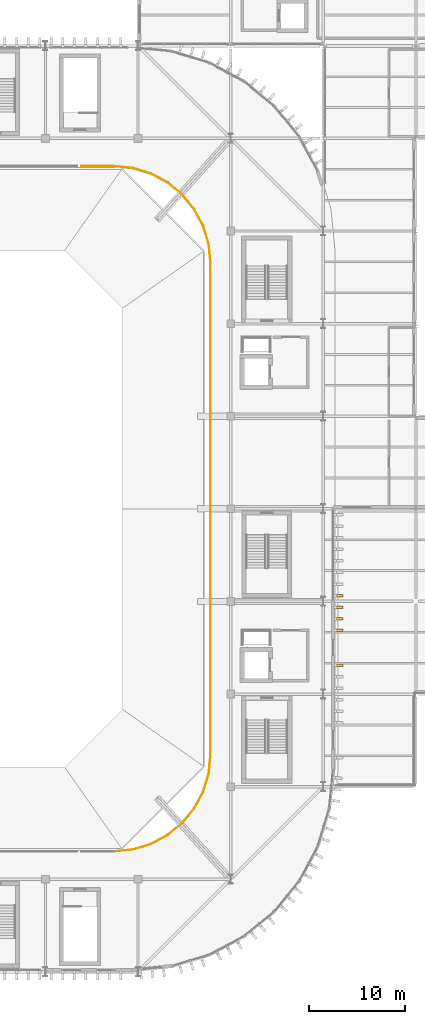
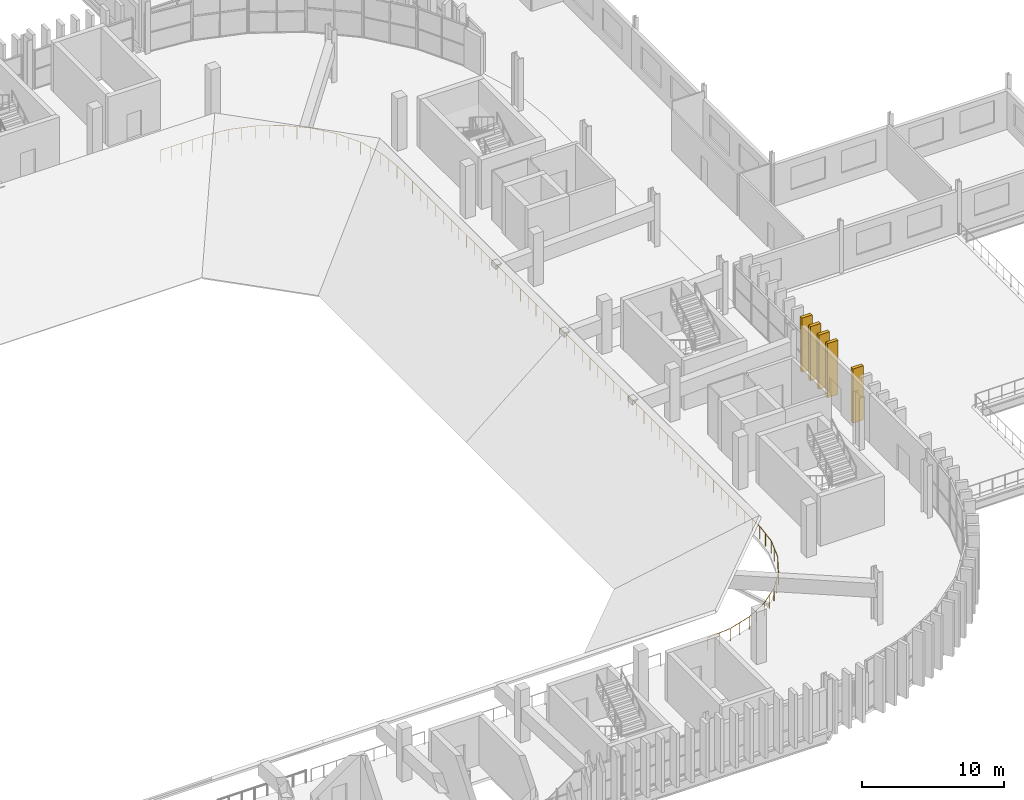
# One storey, part 61 of 69: 5 coverings, 1 railing.
"""IFC4 building model written with IfcOpenShell, lengths in metres."""

from ifc_helpers import new_model, si_unit, direction, frame, origin, origin_2d, place, context, subcontext, project, spatial, rectangle, circle, extrude, material, material_profile, profile_set, type_object, element, save


model = new_model("IFC4")

# Units and contexts
model_context = context("Model", 3, precision=1e-05, world=origin(), true_north=direction((0.0, 1.0)))
body_context = subcontext(model_context, "Body", "Model", "MODEL_VIEW")
ifc_project = project(units=[si_unit("LENGTHUNIT", "METRE"), si_unit("AREAUNIT", "SQUARE_METRE"), si_unit("VOLUMEUNIT", "CUBIC_METRE"), si_unit("PLANEANGLEUNIT", "RADIAN"), si_unit("MASSUNIT", "GRAM", prefix="KILO")], contexts=[model_context])

# Site, building, storey
site_placement = place(None, origin())
site = spatial("IfcSite", under=ifc_project, at=site_placement, CompositionType="ELEMENT")
building_placement = place(site_placement, origin())
building = spatial("IfcBuilding", under=site, at=building_placement, Name="Caelomonte Colonnade Arena", CompositionType="ELEMENT")
storey_placement = place(building_placement, frame((0.0, 0.0, 18.60009765625)))
storey = spatial("IfcBuildingStorey", under=building, at=storey_placement, Name="L04", CompositionType="ELEMENT", Elevation=18.60009765625)

# Coverings
ifc_material_1 = material(Name="Precast travertine cladding", Category="masonry")
ifc_material_profile = material_profile(ifc_material_1, rectangle(XDim=0.260009765625, YDim=0.85009765625, at=origin_2d()), Name="FIN260X850")
ifc_profile_set = profile_set([ifc_material_profile], Name="Precast travertine cladding")
covering_type = type_object("IfcCoveringType", Name="ENV-FN-SHAFT", PredefinedType="CLADDING", material=ifc_profile_set)
for number, where, z_axis, x_axis, name in (
    (1, (164.821044921875, 51.0, -0.16015625), (0.0, 0.0, 1.0), (0.0, -1.0, 0.0), "V1 L04 classical travertine vertical fin 33"),
    (2, (164.821044921875, 54.60009765625, -0.16015625), (0.0, 0.0, 1.0), (0.0, -1.0, 0.0), "V1 L04 classical travertine vertical fin 36"),
    (3, (164.821044921875, 55.800048828125, -0.16015625), (0.0, 0.0, 1.0), (0.0, -1.0, 0.0), "V1 L04 classical travertine vertical fin 37"),
    (4, (164.821044921875, 57.0, -0.16015625), (0.0, 0.0, 1.0), (0.0, -1.0, 0.0), "V1 L04 classical travertine vertical fin 38"),
    (5, (164.821044921875, 58.199951171875, -0.16015625), (0.0, 0.0, 1.0), (0.0, -1.0, 0.0), "V1 L04 classical travertine vertical fin 39"),
):
    element("IfcCovering", number, at=place(storey_placement, frame(where, z_axis=z_axis, x_axis=x_axis)), inside=storey, type_object=covering_type, Name=name, PredefinedType="CLADDING", context=body_context, shape_type="SweptSolid", body=[
        extrude(rectangle(XDim=0.260009765625, YDim=0.85009765625, at=origin_2d()), origin(), (0.0, 0.0, 1.0), 4.66015625),
    ])

# Railing
ifc_material_2 = material(Name="Painted galvanized steel handrail and posts", Category="steel")
railing_type = type_object("IfcRailingType", Name="ENV-RL-GRD1", PredefinedType="GUARDRAIL", material=ifc_material_2)
railing_placement = place(storey_placement, frame((141.52001953125, 31.679931640625, 0.0)))
element("IfcRailing", 6, at=railing_placement, inside=storey, type_object=railing_type, Name="L04 upper concourse bowl guard 1", PredefinedType="GUARDRAIL", context=body_context, shape_type="SweptSolid", body=[
    extrude(circle(Radius=0.02392578125, at=origin_2d()), frame((0.0, 0.0, 1.076171875), z_axis=(0.995185270943, 0.098011614095, 0.0), x_axis=(-0.098011614095, 0.995185270943, 0.0)), (0.0, 0.0, 1.0), 1.92919921875),
    extrude(circle(Radius=0.02392578125, at=origin_2d()), frame((1.98095703125, 0.201171875, 1.076171875), z_axis=(0.956926930231, 0.290328865595, 0.0), x_axis=(-0.290328865595, 0.956926930231, 0.0)), (0.0, 0.0, 1.0), 1.897705078125),
    extrude(circle(Radius=0.02392578125, at=origin_2d()), frame((3.854248046875, 0.77587890625, 1.076171875), z_axis=(0.881942379719, 0.471357230618, 0.0), x_axis=(-0.471357230618, 0.881942379719, 0.0)), (0.0, 0.0, 1.0), 1.89794921875),
    extrude(circle(Radius=0.02392578125, at=origin_2d()), frame((5.579833984375, 1.705078125, 1.076171875), z_axis=(0.773007598499, 0.634396762809, 0.0), x_axis=(-0.634396762809, 0.773007598499, 0.0)), (0.0, 0.0, 1.0), 1.89794921875),
    extrude(circle(Radius=0.02392578125, at=origin_2d()), frame((7.0908203125, 2.953125, 1.076171875), z_axis=(0.634396762809, 0.773007598499, 0.0), x_axis=(-0.773007598499, 0.634396762809, 0.0)), (0.0, 0.0, 1.0), 1.89794921875),
    extrude(circle(Radius=0.02392578125, at=origin_2d()), frame((8.329345703125, 4.471923828125, 1.076171875), z_axis=(0.471357230618, 0.881942379719, 0.0), x_axis=(-0.881942379719, 0.471357230618, 0.0)), (0.0, 0.0, 1.0), 1.89794921875),
    extrude(circle(Radius=0.02392578125, at=origin_2d()), frame((9.247802734375, 6.203369140625, 1.076171875), z_axis=(0.290328865595, 0.956926930231, 0.0), x_axis=(-0.956926930231, 0.290328865595, 0.0)), (0.0, 0.0, 1.0), 1.897705078125),
    extrude(circle(Radius=0.02392578125, at=origin_2d()), frame((9.81103515625, 8.080078125, 1.076171875), z_axis=(0.098011614095, 0.995185270943, 0.0), x_axis=(-0.995185270943, 0.098011614095, 0.0)), (0.0, 0.0, 1.0), 1.89794921875),
    extrude(circle(Radius=0.02392578125, at=origin_2d()), frame((10.0, 10.03125, 1.076171875), z_axis=(0.0, 1.0, 0.0), x_axis=(-1.0, 0.0, 0.0)), (0.0, 0.0, 1.0), 50.9775390625),
    extrude(circle(Radius=0.02392578125, at=origin_2d()), frame((9.996826171875, 61.071044921875, 1.076171875), z_axis=(-0.098011614095, 0.995185270943, 0.0), x_axis=(-0.995185270943, -0.098011614095, 0.0)), (0.0, 0.0, 1.0), 1.89794921875),
    extrude(circle(Radius=0.02392578125, at=origin_2d()), frame((9.798828125, 63.02099609375, 1.076171875), z_axis=(-0.290294266276, 0.956937426882, 0.0), x_axis=(-0.956937426882, -0.290294266276, 0.0)), (0.0, 0.0, 1.0), 1.89794921875),
    extrude(circle(Radius=0.02392578125, at=origin_2d()), frame((9.22412109375, 64.89453125, 1.076171875), z_axis=(-0.471409005076, 0.881914706722, 0.0), x_axis=(-0.881914706722, -0.471409005076, 0.0)), (0.0, 0.0, 1.0), 1.897705078125),
    extrude(circle(Radius=0.02392578125, at=origin_2d()), frame((8.294921875, 66.619873046875, 1.076171875), z_axis=(-0.634396762809, 0.773007598499, 0.0), x_axis=(-0.773007598499, -0.634396762809, 0.0)), (0.0, 0.0, 1.0), 1.89794921875),
    extrude(circle(Radius=0.02392578125, at=origin_2d()), frame((7.046875, 68.130859375, 1.076171875), z_axis=(-0.773007598499, 0.634396762809, 0.0), x_axis=(-0.634396762809, -0.773007598499, 0.0)), (0.0, 0.0, 1.0), 1.89794921875),
    extrude(circle(Radius=0.02392578125, at=origin_2d()), frame((5.528076171875, 69.369384765625, 1.076171875), z_axis=(-0.881942379719, 0.471357230618, 0.0), x_axis=(-0.471357230618, -0.881942379719, 0.0)), (0.0, 0.0, 1.0), 1.89794921875),
    extrude(circle(Radius=0.02392578125, at=origin_2d()), frame((3.796630859375, 70.287841796875, 1.076171875), z_axis=(-0.956926930231, 0.290328865595, 0.0), x_axis=(-0.290328865595, -0.956926930231, 0.0)), (0.0, 0.0, 1.0), 1.897705078125),
    extrude(circle(Radius=0.02392578125, at=origin_2d()), frame((1.919921875, 70.85107421875, 1.076171875), z_axis=(-0.995185270943, 0.098011614095, 0.0), x_axis=(-0.098011614095, -0.995185270943, 0.0)), (0.0, 0.0, 1.0), 1.89794921875),
    extrude(circle(Radius=0.02392578125, at=origin_2d()), frame((-0.03125, 71.0400390625, 1.076171875), z_axis=(-1.0, 0.0, 0.0), x_axis=(0.0, -1.0, 0.0)), (0.0, 0.0, 1.0), 3.3818359375),
    extrude(circle(Radius=0.02099609375, at=origin_2d()), origin(), (0.0, 0.0, 1.0), 1.048095703125),
    extrude(circle(Radius=0.02099609375, at=origin_2d()), frame((0.9755859375, 0.09619140625, 0.0)), (0.0, 0.0, 1.0), 1.048095703125),
    extrude(circle(Radius=0.02099609375, at=origin_2d()), frame((1.950927734375, 0.192138671875, 0.0)), (0.0, 0.0, 1.0), 1.048095703125),
    extrude(circle(Radius=0.02099609375, at=origin_2d()), frame((2.888671875, 0.4765625, 0.0)), (0.0, 0.0, 1.0), 1.048095703125),
    extrude(circle(Radius=0.02099609375, at=origin_2d()), frame((3.82666015625, 0.76123046875, 0.0)), (0.0, 0.0, 1.0), 1.048095703125),
    extrude(circle(Radius=0.02099609375, at=origin_2d()), frame((4.691162109375, 1.22314453125, 0.0)), (0.0, 0.0, 1.0), 1.048095703125),
    extrude(circle(Radius=0.02099609375, at=origin_2d()), frame((5.5556640625, 1.685302734375, 0.0)), (0.0, 0.0, 1.0), 1.048095703125),
    extrude(circle(Radius=0.02099609375, at=origin_2d()), frame((6.3134765625, 2.30712890625, 0.0)), (0.0, 0.0, 1.0), 1.048095703125),
    extrude(circle(Radius=0.02099609375, at=origin_2d()), frame((7.071044921875, 2.928955078125, 0.0)), (0.0, 0.0, 1.0), 1.048095703125),
    extrude(circle(Radius=0.02099609375, at=origin_2d()), frame((7.69287109375, 3.6865234375, 0.0)), (0.0, 0.0, 1.0), 1.048095703125),
    extrude(circle(Radius=0.02099609375, at=origin_2d()), frame((8.314697265625, 4.4443359375, 0.0)), (0.0, 0.0, 1.0), 1.048095703125),
    extrude(circle(Radius=0.02099609375, at=origin_2d()), frame((8.77685546875, 5.308837890625, 0.0)), (0.0, 0.0, 1.0), 1.048095703125),
    extrude(circle(Radius=0.02099609375, at=origin_2d()), frame((9.23876953125, 6.17333984375, 0.0)), (0.0, 0.0, 1.0), 1.048095703125),
    extrude(circle(Radius=0.02099609375, at=origin_2d()), frame((9.5234375, 7.111328125, 0.0)), (0.0, 0.0, 1.0), 1.048095703125),
    extrude(circle(Radius=0.02099609375, at=origin_2d()), frame((9.807861328125, 8.049072265625, 0.0)), (0.0, 0.0, 1.0), 1.048095703125),
    extrude(circle(Radius=0.02099609375, at=origin_2d()), frame((9.90380859375, 9.0244140625, 0.0)), (0.0, 0.0, 1.0), 1.048095703125),
    extrude(circle(Radius=0.02099609375, at=origin_2d()), frame((10.0, 10.0, 0.0)), (0.0, 0.0, 1.0), 1.048095703125),
    extrude(circle(Radius=0.02099609375, at=origin_2d()), frame((10.0, 11.0859375, 0.0)), (0.0, 0.0, 1.0), 1.048095703125),
    extrude(circle(Radius=0.02099609375, at=origin_2d()), frame((10.0, 12.171875, 0.0)), (0.0, 0.0, 1.0), 1.048095703125),
    extrude(circle(Radius=0.02099609375, at=origin_2d()), frame((10.0, 13.2578125, 0.0)), (0.0, 0.0, 1.0), 1.048095703125),
    extrude(circle(Radius=0.02099609375, at=origin_2d()), frame((10.0, 14.34375, 0.0)), (0.0, 0.0, 1.0), 1.048095703125),
    extrude(circle(Radius=0.02099609375, at=origin_2d()), frame((10.0, 15.4296875, 0.0)), (0.0, 0.0, 1.0), 1.048095703125),
    extrude(circle(Radius=0.02099609375, at=origin_2d()), frame((10.0, 16.515869140625, 0.0)), (0.0, 0.0, 1.0), 1.048095703125),
    extrude(circle(Radius=0.02099609375, at=origin_2d()), frame((10.0, 17.601806640625, 0.0)), (0.0, 0.0, 1.0), 1.048095703125),
    extrude(circle(Radius=0.02099609375, at=origin_2d()), frame((10.0, 18.687744140625, 0.0)), (0.0, 0.0, 1.0), 1.048095703125),
    extrude(circle(Radius=0.02099609375, at=origin_2d()), frame((10.0, 19.773681640625, 0.0)), (0.0, 0.0, 1.0), 1.048095703125),
    extrude(circle(Radius=0.02099609375, at=origin_2d()), frame((10.0, 20.859619140625, 0.0)), (0.0, 0.0, 1.0), 1.048095703125),
    extrude(circle(Radius=0.02099609375, at=origin_2d()), frame((10.0, 21.945556640625, 0.0)), (0.0, 0.0, 1.0), 1.048095703125),
    extrude(circle(Radius=0.02099609375, at=origin_2d()), frame((10.0, 23.031494140625, 0.0)), (0.0, 0.0, 1.0), 1.048095703125),
    extrude(circle(Radius=0.02099609375, at=origin_2d()), frame((10.0, 24.117431640625, 0.0)), (0.0, 0.0, 1.0), 1.048095703125),
    extrude(circle(Radius=0.02099609375, at=origin_2d()), frame((10.0, 25.203369140625, 0.0)), (0.0, 0.0, 1.0), 1.048095703125),
    extrude(circle(Radius=0.02099609375, at=origin_2d()), frame((10.0, 26.289306640625, 0.0)), (0.0, 0.0, 1.0), 1.048095703125),
    extrude(circle(Radius=0.02099609375, at=origin_2d()), frame((10.0, 27.375244140625, 0.0)), (0.0, 0.0, 1.0), 1.048095703125),
    extrude(circle(Radius=0.02099609375, at=origin_2d()), frame((10.0, 28.461181640625, 0.0)), (0.0, 0.0, 1.0), 1.048095703125),
    extrude(circle(Radius=0.02099609375, at=origin_2d()), frame((10.0, 29.54736328125, 0.0)), (0.0, 0.0, 1.0), 1.048095703125),
    extrude(circle(Radius=0.02099609375, at=origin_2d()), frame((10.0, 30.63330078125, 0.0)), (0.0, 0.0, 1.0), 1.048095703125),
    extrude(circle(Radius=0.02099609375, at=origin_2d()), frame((10.0, 31.71923828125, 0.0)), (0.0, 0.0, 1.0), 1.048095703125),
    extrude(circle(Radius=0.02099609375, at=origin_2d()), frame((10.0, 32.80517578125, 0.0)), (0.0, 0.0, 1.0), 1.048095703125),
    extrude(circle(Radius=0.02099609375, at=origin_2d()), frame((10.0, 33.89111328125, 0.0)), (0.0, 0.0, 1.0), 1.048095703125),
    extrude(circle(Radius=0.02099609375, at=origin_2d()), frame((10.0, 34.97705078125, 0.0)), (0.0, 0.0, 1.0), 1.048095703125),
    extrude(circle(Radius=0.02099609375, at=origin_2d()), frame((10.0, 36.06298828125, 0.0)), (0.0, 0.0, 1.0), 1.048095703125),
    extrude(circle(Radius=0.02099609375, at=origin_2d()), frame((10.0, 37.14892578125, 0.0)), (0.0, 0.0, 1.0), 1.048095703125),
    extrude(circle(Radius=0.02099609375, at=origin_2d()), frame((10.0, 38.23486328125, 0.0)), (0.0, 0.0, 1.0), 1.048095703125),
    extrude(circle(Radius=0.02099609375, at=origin_2d()), frame((10.0, 39.32080078125, 0.0)), (0.0, 0.0, 1.0), 1.048095703125),
    extrude(circle(Radius=0.02099609375, at=origin_2d()), frame((10.0, 40.40673828125, 0.0)), (0.0, 0.0, 1.0), 1.048095703125),
    extrude(circle(Radius=0.02099609375, at=origin_2d()), frame((10.0, 41.49267578125, 0.0)), (0.0, 0.0, 1.0), 1.048095703125),
    extrude(circle(Radius=0.02099609375, at=origin_2d()), frame((10.0, 42.578857421875, 0.0)), (0.0, 0.0, 1.0), 1.048095703125),
    extrude(circle(Radius=0.02099609375, at=origin_2d()), frame((10.0, 43.664794921875, 0.0)), (0.0, 0.0, 1.0), 1.048095703125),
    extrude(circle(Radius=0.02099609375, at=origin_2d()), frame((10.0, 44.750732421875, 0.0)), (0.0, 0.0, 1.0), 1.048095703125),
    extrude(circle(Radius=0.02099609375, at=origin_2d()), frame((10.0, 45.836669921875, 0.0)), (0.0, 0.0, 1.0), 1.048095703125),
    extrude(circle(Radius=0.02099609375, at=origin_2d()), frame((10.0, 46.922607421875, 0.0)), (0.0, 0.0, 1.0), 1.048095703125),
    extrude(circle(Radius=0.02099609375, at=origin_2d()), frame((10.0, 48.008544921875, 0.0)), (0.0, 0.0, 1.0), 1.048095703125),
    extrude(circle(Radius=0.02099609375, at=origin_2d()), frame((10.0, 49.094482421875, 0.0)), (0.0, 0.0, 1.0), 1.048095703125),
    extrude(circle(Radius=0.02099609375, at=origin_2d()), frame((10.0, 50.180419921875, 0.0)), (0.0, 0.0, 1.0), 1.048095703125),
    extrude(circle(Radius=0.02099609375, at=origin_2d()), frame((10.0, 51.266357421875, 0.0)), (0.0, 0.0, 1.0), 1.048095703125),
    extrude(circle(Radius=0.02099609375, at=origin_2d()), frame((10.0, 52.352294921875, 0.0)), (0.0, 0.0, 1.0), 1.048095703125),
    extrude(circle(Radius=0.02099609375, at=origin_2d()), frame((10.0, 53.438232421875, 0.0)), (0.0, 0.0, 1.0), 1.048095703125),
    extrude(circle(Radius=0.02099609375, at=origin_2d()), frame((10.0, 54.524169921875, 0.0)), (0.0, 0.0, 1.0), 1.048095703125),
    extrude(circle(Radius=0.02099609375, at=origin_2d()), frame((10.0, 55.6103515625, 0.0)), (0.0, 0.0, 1.0), 1.048095703125),
    extrude(circle(Radius=0.02099609375, at=origin_2d()), frame((10.0, 56.6962890625, 0.0)), (0.0, 0.0, 1.0), 1.048095703125),
    extrude(circle(Radius=0.02099609375, at=origin_2d()), frame((10.0, 57.7822265625, 0.0)), (0.0, 0.0, 1.0), 1.048095703125),
    extrude(circle(Radius=0.02099609375, at=origin_2d()), frame((10.0, 58.8681640625, 0.0)), (0.0, 0.0, 1.0), 1.048095703125),
    extrude(circle(Radius=0.02099609375, at=origin_2d()), frame((10.0, 59.9541015625, 0.0)), (0.0, 0.0, 1.0), 1.048095703125),
    extrude(circle(Radius=0.02099609375, at=origin_2d()), frame((10.0, 61.0400390625, 0.0)), (0.0, 0.0, 1.0), 1.048095703125),
    extrude(circle(Radius=0.02099609375, at=origin_2d()), frame((9.90380859375, 62.015625, 0.0)), (0.0, 0.0, 1.0), 1.048095703125),
    extrude(circle(Radius=0.02099609375, at=origin_2d()), frame((9.807861328125, 62.990966796875, 0.0)), (0.0, 0.0, 1.0), 1.048095703125),
    extrude(circle(Radius=0.02099609375, at=origin_2d()), frame((9.5234375, 63.928955078125, 0.0)), (0.0, 0.0, 1.0), 1.048095703125),
    extrude(circle(Radius=0.02099609375, at=origin_2d()), frame((9.23876953125, 64.866943359375, 0.0)), (0.0, 0.0, 1.0), 1.048095703125),
    extrude(circle(Radius=0.02099609375, at=origin_2d()), frame((8.77685546875, 65.7314453125, 0.0)), (0.0, 0.0, 1.0), 1.048095703125),
    extrude(circle(Radius=0.02099609375, at=origin_2d()), frame((8.314697265625, 66.595703125, 0.0)), (0.0, 0.0, 1.0), 1.048095703125),
    extrude(circle(Radius=0.02099609375, at=origin_2d()), frame((7.69287109375, 67.353515625, 0.0)), (0.0, 0.0, 1.0), 1.048095703125),
    extrude(circle(Radius=0.02099609375, at=origin_2d()), frame((7.071044921875, 68.111083984375, 0.0)), (0.0, 0.0, 1.0), 1.048095703125),
    extrude(circle(Radius=0.02099609375, at=origin_2d()), frame((6.3134765625, 68.73291015625, 0.0)), (0.0, 0.0, 1.0), 1.048095703125),
    extrude(circle(Radius=0.02099609375, at=origin_2d()), frame((5.5556640625, 69.354736328125, 0.0)), (0.0, 0.0, 1.0), 1.048095703125),
    extrude(circle(Radius=0.02099609375, at=origin_2d()), frame((4.691162109375, 69.81689453125, 0.0)), (0.0, 0.0, 1.0), 1.048095703125),
    extrude(circle(Radius=0.02099609375, at=origin_2d()), frame((3.82666015625, 70.27880859375, 0.0)), (0.0, 0.0, 1.0), 1.048095703125),
    extrude(circle(Radius=0.02099609375, at=origin_2d()), frame((2.888671875, 70.5634765625, 0.0)), (0.0, 0.0, 1.0), 1.048095703125),
    extrude(circle(Radius=0.02099609375, at=origin_2d()), frame((1.950927734375, 70.847900390625, 0.0)), (0.0, 0.0, 1.0), 1.048095703125),
    extrude(circle(Radius=0.02099609375, at=origin_2d()), frame((0.9755859375, 70.94384765625, 0.0)), (0.0, 0.0, 1.0), 1.048095703125),
    extrude(circle(Radius=0.02099609375, at=origin_2d()), frame((0.0, 71.0400390625, 0.0)), (0.0, 0.0, 1.0), 1.048095703125),
    extrude(circle(Radius=0.02099609375, at=origin_2d()), frame((-0.853271484375, 71.0400390625, 0.0)), (0.0, 0.0, 1.0), 1.048095703125),
    extrude(circle(Radius=0.02099609375, at=origin_2d()), frame((-1.70654296875, 71.0400390625, 0.0)), (0.0, 0.0, 1.0), 1.048095703125),
    extrude(circle(Radius=0.02099609375, at=origin_2d()), frame((-2.559814453125, 71.0400390625, 0.0)), (0.0, 0.0, 1.0), 1.048095703125),
    extrude(circle(Radius=0.02099609375, at=origin_2d()), frame((-3.4130859375, 71.0400390625, 0.0)), (0.0, 0.0, 1.0), 1.048095703125),
])

save(model, "model.ifc")
